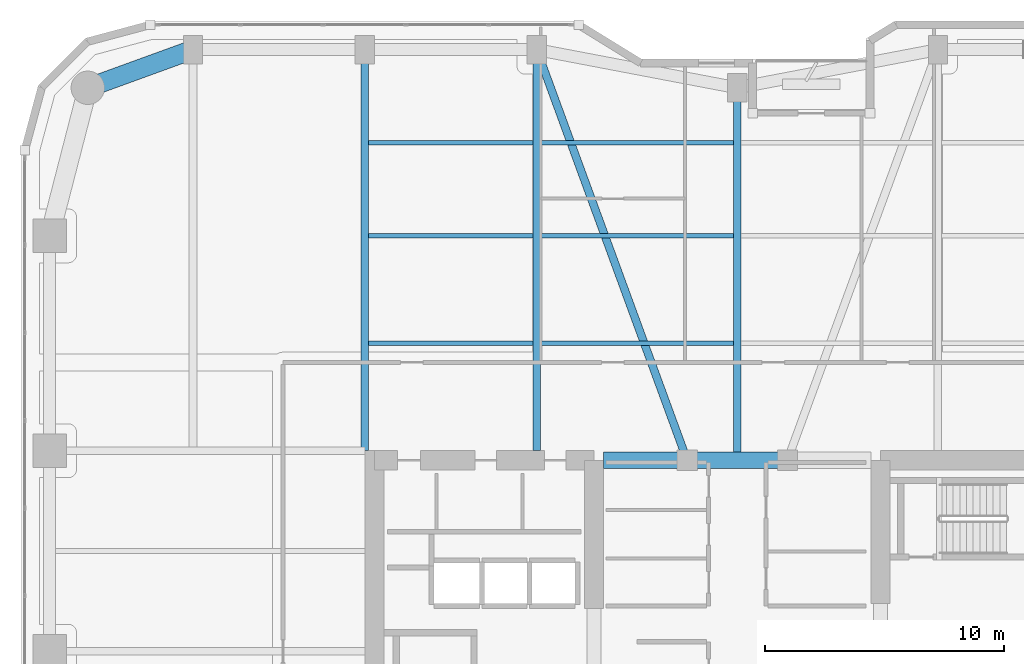
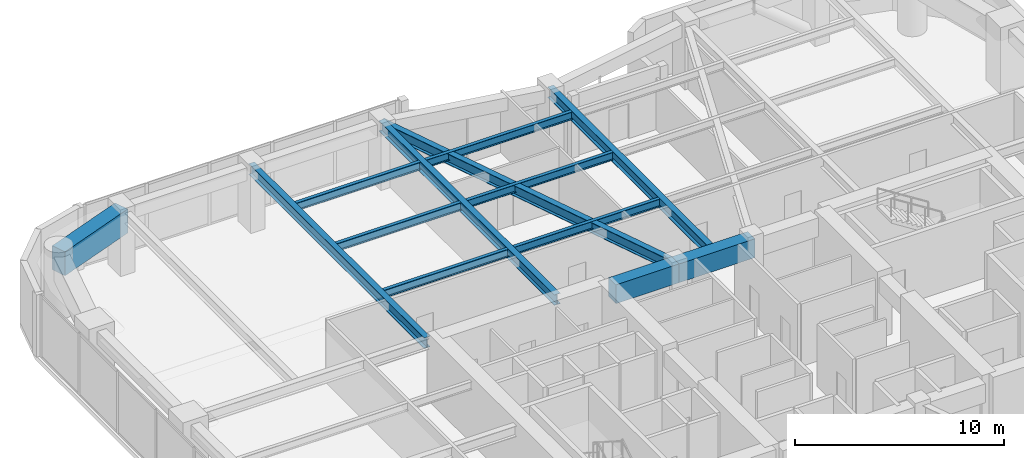
# One storey, part 12 of 24: 13 beams.
"""IFC4 building model written with IfcOpenShell, lengths in metres."""

from ifc_helpers import new_model, si_unit, direction, frame, origin, origin_2d, place, context, subcontext, project, spatial, rectangle, i_section, extrude, material, material_profile, profile_set, type_object, element, save


model = new_model("IFC4")

# Units and contexts
model_context = context("Model", 3, precision=1e-05, world=origin(), true_north=direction((0.0, 1.0)))
body_context = subcontext(model_context, "Body", "Model", "MODEL_VIEW")
ifc_project = project(units=[si_unit("LENGTHUNIT", "METRE"), si_unit("AREAUNIT", "SQUARE_METRE"), si_unit("VOLUMEUNIT", "CUBIC_METRE"), si_unit("PLANEANGLEUNIT", "RADIAN"), si_unit("MASSUNIT", "GRAM", prefix="KILO")], contexts=[model_context])

# Site, building, storey
site_placement = place(None, origin())
site = spatial("IfcSite", under=ifc_project, at=site_placement, CompositionType="ELEMENT")
building_placement = place(site_placement, origin())
building = spatial("IfcBuilding", under=site, at=building_placement, Name="Kiyonajd Concourse Tower", CompositionType="ELEMENT")
storey_placement = place(building_placement, frame((0.0, 0.0, 101.39990234375)))
storey = spatial("IfcBuildingStorey", under=building, at=storey_placement, Name="L26", CompositionType="ELEMENT", Elevation=101.39990234375)

# Beams
ifc_material_1 = material(Name="Concrete C70/85", Category="concrete")
ifc_material_profile_1 = material_profile(ifc_material_1, rectangle(XDim=0.699951171875, YDim=1.10009765625, at=origin_2d()), Name="RCBM-700x1100")
ifc_profile_set_1 = profile_set([ifc_material_profile_1], Name="Concrete C70/85")
beam_type_1 = type_object("IfcBeamType", Name="BM-COUP-1100", PredefinedType="LINTEL", material=ifc_profile_set_1)
beam_1_placement = place(storey_placement, frame((42.39990234375, 44.0, 3.090087890625), z_axis=(1.0, 0.0, 0.0), x_axis=(0.0, 1.0, 0.0)))
element("IfcBeam", 1, at=beam_1_placement, inside=storey, type_object=beam_type_1, Name="L26 Core Coupling Beam N1", PredefinedType="LINTEL", context=body_context, shape_type="SweptSolid", body=[
    extrude(rectangle(XDim=0.699951171875, YDim=1.10009765625, at=origin_2d()), origin(), (0.0, 0.0, 1.0), 3.5),
])
beam_2_placement = place(storey_placement, frame((45.89990234375, 44.0, 3.090087890625), z_axis=(1.0, 0.0, 0.0), x_axis=(0.0, 1.0, 0.0)))
element("IfcBeam", 2, at=beam_2_placement, inside=storey, type_object=beam_type_1, Name="L26 Core Coupling Beam N2", PredefinedType="LINTEL", context=body_context, shape_type="SweptSolid", body=[
    extrude(rectangle(XDim=0.699951171875, YDim=1.10009765625, at=origin_2d()), origin(), (0.0, 0.0, 1.0), 4.2001953125),
])
ifc_material_2 = material(Name="Steel ASTM A992 Grade 50", Category="steel")
ifc_material_profile_2 = material_profile(ifc_material_2, i_section(OverallWidth=0.19189453125, OverallDepth=0.462890625, WebThickness=0.010498046875, FlangeThickness=0.017578125, at=origin_2d()), Name="W460X89")
ifc_profile_set_2 = profile_set([ifc_material_profile_2], Name="Steel ASTM A992 Grade 50")
beam_type_2 = type_object("IfcBeamType", Name="BM-JST-460B", PredefinedType="JOIST", material=ifc_profile_set_2)
beam_3_placement = place(storey_placement, frame((32.5634765625, 48.89990234375, 3.40869140625), z_axis=(1.0, 0.0, 0.0), x_axis=(0.0, 1.0, 0.0)))
element("IfcBeam", 3, at=beam_3_placement, inside=storey, type_object=beam_type_2, Name="L26 Secondary Floor Joist", PredefinedType="JOIST", context=body_context, shape_type="SweptSolid", body=[
    extrude(i_section(OverallWidth=0.19189453125, OverallDepth=0.462890625, WebThickness=0.010498046875, FlangeThickness=0.017578125, at=origin_2d()), origin(), (0.0, 0.0, 1.0), 6.873046875),
])
beam_4_placement = place(storey_placement, frame((39.763427734375, 48.89990234375, 3.40869140625), z_axis=(1.0, 0.0, 0.0), x_axis=(0.0, 1.0, 0.0)))
element("IfcBeam", 4, at=beam_4_placement, inside=storey, type_object=beam_type_2, Name="L26 Secondary Floor Joist", PredefinedType="JOIST", context=body_context, shape_type="SweptSolid", body=[
    extrude(i_section(OverallWidth=0.19189453125, OverallDepth=0.462890625, WebThickness=0.010498046875, FlangeThickness=0.017578125, at=origin_2d()), origin(), (0.0, 0.0, 1.0), 8.072998046875),
])
beam_5_placement = place(storey_placement, frame((32.5634765625, 53.39990234375, 3.40869140625), z_axis=(1.0, 0.0, 0.0), x_axis=(0.0, 1.0, 0.0)))
element("IfcBeam", 5, at=beam_5_placement, inside=storey, type_object=beam_type_2, Name="L26 Secondary Floor Joist", PredefinedType="JOIST", context=body_context, shape_type="SweptSolid", body=[
    extrude(i_section(OverallWidth=0.19189453125, OverallDepth=0.462890625, WebThickness=0.010498046875, FlangeThickness=0.017578125, at=origin_2d()), origin(), (0.0, 0.0, 1.0), 6.873046875),
])
beam_6_placement = place(storey_placement, frame((39.763427734375, 53.39990234375, 3.40869140625), z_axis=(1.0, 0.0, 0.0), x_axis=(0.0, 1.0, 0.0)))
element("IfcBeam", 6, at=beam_6_placement, inside=storey, type_object=beam_type_2, Name="L26 Secondary Floor Joist", PredefinedType="JOIST", context=body_context, shape_type="SweptSolid", body=[
    extrude(i_section(OverallWidth=0.19189453125, OverallDepth=0.462890625, WebThickness=0.010498046875, FlangeThickness=0.017578125, at=origin_2d()), origin(), (0.0, 0.0, 1.0), 8.072998046875),
])
beam_7_placement = place(storey_placement, frame((32.5634765625, 57.300048828125, 3.40869140625), z_axis=(1.0, 0.0, 0.0), x_axis=(0.0, 1.0, 0.0)))
element("IfcBeam", 7, at=beam_7_placement, inside=storey, type_object=beam_type_2, Name="L26 Secondary Floor Joist", PredefinedType="JOIST", context=body_context, shape_type="SweptSolid", body=[
    extrude(i_section(OverallWidth=0.19189453125, OverallDepth=0.462890625, WebThickness=0.010498046875, FlangeThickness=0.017578125, at=origin_2d()), origin(), (0.0, 0.0, 1.0), 6.873046875),
])
beam_8_placement = place(storey_placement, frame((39.763427734375, 57.300048828125, 3.40869140625), z_axis=(1.0, 0.0, 0.0), x_axis=(0.0, 1.0, 0.0)))
element("IfcBeam", 8, at=beam_8_placement, inside=storey, type_object=beam_type_2, Name="L26 Secondary Floor Joist", PredefinedType="JOIST", context=body_context, shape_type="SweptSolid", body=[
    extrude(i_section(OverallWidth=0.19189453125, OverallDepth=0.462890625, WebThickness=0.010498046875, FlangeThickness=0.017578125, at=origin_2d()), origin(), (0.0, 0.0, 1.0), 8.072998046875),
])
ifc_material_profile_3 = material_profile(ifc_material_2, i_section(OverallWidth=0.326904296875, OverallDepth=0.6220703125, WebThickness=0.015380859375, FlangeThickness=0.0244140625, at=origin_2d()), Name="W610X195")
ifc_profile_set_3 = profile_set([ifc_material_profile_3], Name="Steel ASTM A992 Grade 50")
beam_type_3 = type_object("IfcBeamType", Name="BM-TWR-610A", PredefinedType="BEAM", material=ifc_profile_set_3)
beam_9_placement = place(storey_placement, frame((39.60009765625, 61.199951171875, 3.3291015625), z_axis=(0.343925269715, -0.938997022813, 0.0), x_axis=(0.938997022813, 0.343925269715, 0.0)))
element("IfcBeam", 9, at=beam_9_placement, inside=storey, type_object=beam_type_3, Name="L26 Core Tie Girder", PredefinedType="BEAM", context=body_context, shape_type="SweptSolid", body=[
    extrude(i_section(OverallWidth=0.326904296875, OverallDepth=0.6220703125, WebThickness=0.015380859375, FlangeThickness=0.0244140625, at=origin_2d()), origin(), (0.0, 0.0, 1.0), 18.3173828125),
])
for number, where, z_axis, x_axis, name in (
    (10, (32.39990234375, 44.39990234375, 3.3291015625), (0.0, 1.0, 0.0), (-1.0, 0.0, 0.0), "L26 North Lease Girder"),
    (11, (39.60009765625, 44.39990234375, 3.3291015625), (0.0, 1.0, 0.0), (-1.0, 0.0, 0.0), "L26 North Lease Girder"),
):
    element("IfcBeam", number, at=place(storey_placement, frame(where, z_axis=z_axis, x_axis=x_axis)), inside=storey, type_object=beam_type_3, Name=name, PredefinedType="BEAM", context=body_context, shape_type="SweptSolid", body=[
        extrude(i_section(OverallWidth=0.326904296875, OverallDepth=0.6220703125, WebThickness=0.015380859375, FlangeThickness=0.0244140625, at=origin_2d()), origin(), (0.0, 0.0, 1.0), 16.800048828125),
    ])
beam_10_placement = place(storey_placement, frame((48.0, 44.0, 3.3291015625), z_axis=(0.0, 1.0, 0.0), x_axis=(-1.0, 0.0, 0.0)))
element("IfcBeam", 12, at=beam_10_placement, inside=storey, type_object=beam_type_3, Name="L26 North Ribbon Girder", PredefinedType="BEAM", context=body_context, shape_type="SweptSolid", body=[
    extrude(i_section(OverallWidth=0.326904296875, OverallDepth=0.6220703125, WebThickness=0.015380859375, FlangeThickness=0.0244140625, at=origin_2d()), origin(), (0.0, 0.0, 1.0), 15.60009765625),
])
ifc_material_3 = material(Name="Concrete C60/75", Category="concrete")
ifc_material_profile_4 = material_profile(ifc_material_3, rectangle(XDim=0.800048828125, YDim=1.39990234375, at=origin_2d()), Name="RCBM-800x1400")
ifc_profile_set_4 = profile_set([ifc_material_profile_4], Name="Concrete C60/75")
beam_type_4 = type_object("IfcBeamType", Name="BM-XFER-RC", PredefinedType="BEAM", material=ifc_profile_set_4)
beam_11_placement = place(storey_placement, frame((25.199951171875, 61.199951171875, 2.940185546875), z_axis=(-0.939801036019, -0.341722127901, 0.0), x_axis=(0.341722127901, -0.939801036019, 0.0)))
element("IfcBeam", 13, at=beam_11_placement, inside=storey, type_object=beam_type_4, Name="L26 Perimeter Bundled Tube Spandrel", PredefinedType="BEAM", context=body_context, shape_type="SweptSolid", body=[
    extrude(rectangle(XDim=0.800048828125, YDim=1.39990234375, at=origin_2d()), origin(), (0.0, 0.0, 1.0), 4.681640625),
])

save(model, "model.ifc")
